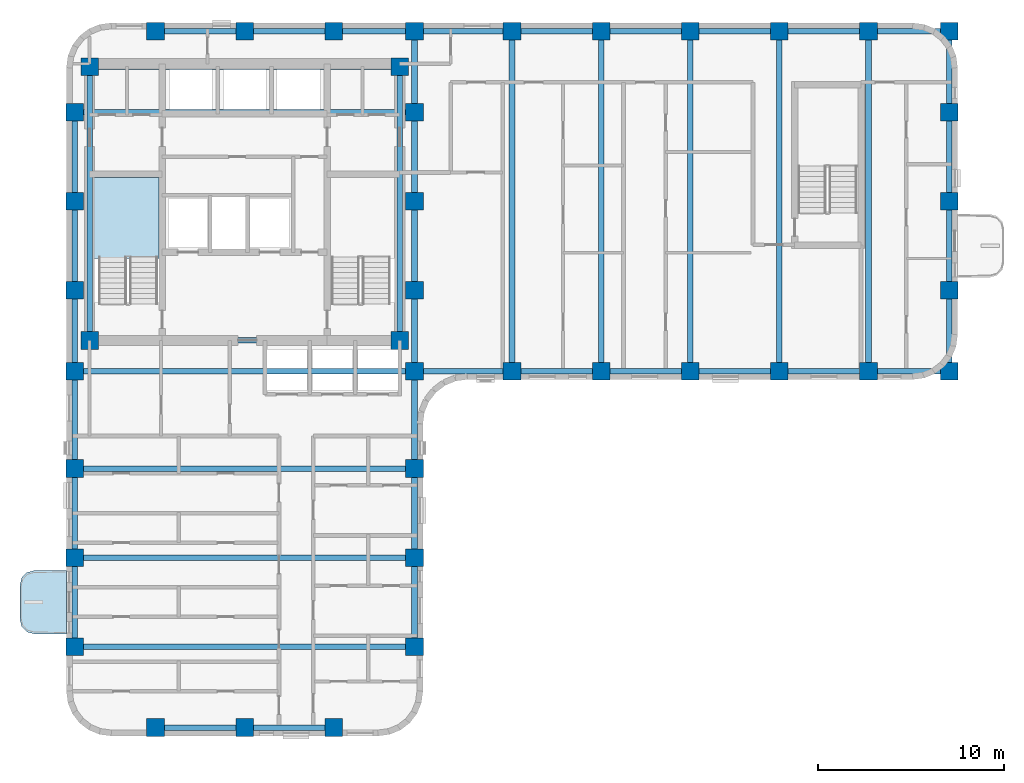
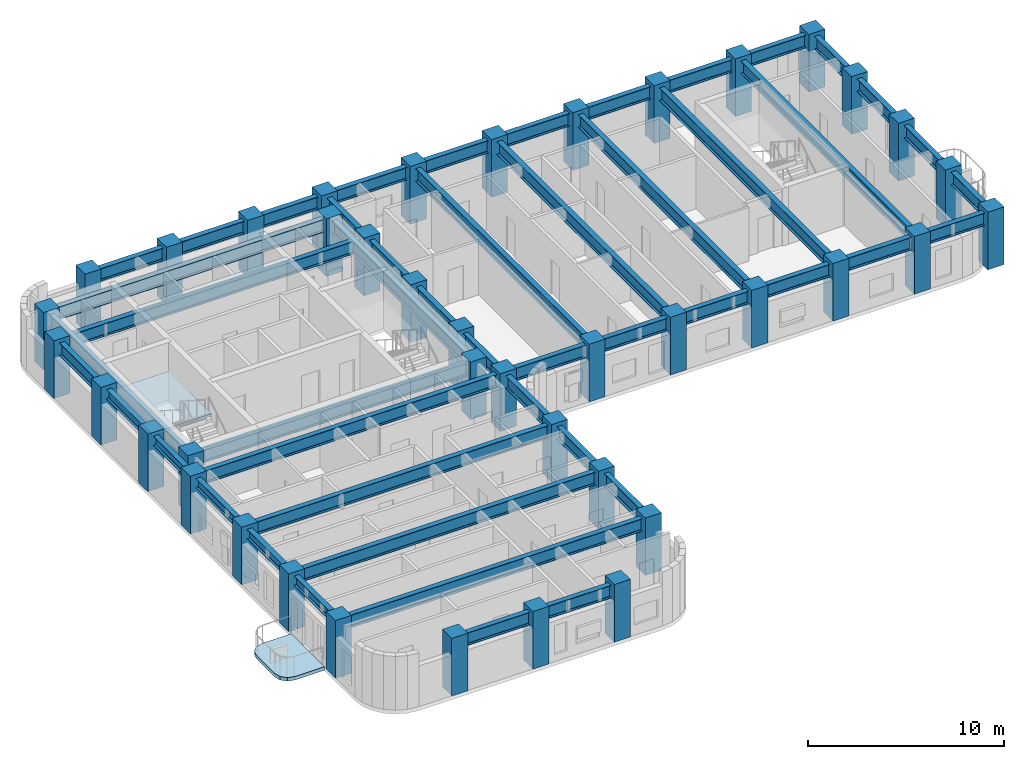
# One storey, part 1 of 10: 48 beams, 40 columns, 2 slabs, 1 element without a shape of its own.
"""IFC4 building model written with IfcOpenShell, lengths in metres."""

from ifc_helpers import new_model, si_unit, direction, frame, origin, origin_2d, place, context, subcontext, project, spatial, polyline, rectangle, i_section, outline, extrude, material, layer, layer_set, material_profile, profile_set, type_object, element, aggregate, save


model = new_model("IFC4")

# Units and contexts
model_context = context("Model", 3, precision=1e-05, world=origin(), true_north=direction((0.0, 1.0)))
body_context = subcontext(model_context, "Body", "Model", "MODEL_VIEW")
ifc_project = project(units=[si_unit("LENGTHUNIT", "METRE"), si_unit("AREAUNIT", "SQUARE_METRE"), si_unit("VOLUMEUNIT", "CUBIC_METRE"), si_unit("PLANEANGLEUNIT", "RADIAN"), si_unit("MASSUNIT", "GRAM", prefix="KILO")], contexts=[model_context])

# Site, building, storey
site_placement = place(None, origin())
site = spatial("IfcSite", under=ifc_project, at=site_placement, CompositionType="ELEMENT")
building_placement = place(site_placement, origin())
building = spatial("IfcBuilding", under=site, at=building_placement, Name="Orvandelia Arch Residences", CompositionType="ELEMENT")
storey_placement = place(building_placement, frame((0.0, 0.0, 110.800048828125)))
storey = spatial("IfcBuildingStorey", under=building, at=storey_placement, Name="L28", CompositionType="ELEMENT", Elevation=110.800048828125)

# Columns
ifc_material_1 = material(Name="Concrete C60/75", Category="concrete")
ifc_material_profile_1 = material_profile(ifc_material_1, rectangle(XDim=0.949951171875, YDim=0.949951171875, at=origin_2d()), Name="Concrete C60/75", Category="concrete")
ifc_profile_set_1 = profile_set([ifc_material_profile_1], Name="Concrete C60/75")
column_type = type_object("IfcColumnType", Name="COL-TWR-950", PredefinedType="COLUMN", material=ifc_profile_set_1)
for number, where, z_axis, x_axis, name in (
    (1, (5.25, 14.39990234375, 0.0), (0.0, 0.0, 1.0), (1.0, 0.0, 0.0), "Structural Column L28-W-W-144"),
    (2, (5.25, 19.199951171875, 0.0), (0.0, 0.0, 1.0), (1.0, 0.0, 0.0), "Structural Column L28-W-W-192"),
    (3, (5.25, 24.0, 0.0), (0.0, 0.0, 1.0), (1.0, 0.0, 0.0), "Structural Column L28-W-W-240"),
    (4, (5.25, 29.25, 0.0), (0.0, 0.0, 1.0), (1.0, 0.0, 0.0), "Structural Column L28-W-W-292"),
    (5, (5.25, 33.60009765625, 0.0), (0.0, 0.0, 1.0), (1.0, 0.0, 0.0), "Structural Column L28-W-W-336"),
    (6, (5.25, 38.39990234375, 0.0), (0.0, 0.0, 1.0), (1.0, 0.0, 0.0), "Structural Column L28-W-W-384"),
    (7, (5.25, 43.199951171875, 0.0), (0.0, 0.0, 1.0), (1.0, 0.0, 0.0), "Structural Column L28-W-W-432"),
    (8, (6.050048828125, 30.89990234375, 0.0), (0.0, 0.0, 1.0), (1.0, 0.0, 0.0), "Structural Column L28-CR-SW"),
    (9, (6.050048828125, 45.64990234375, 0.0), (0.0, 0.0, 1.0), (1.0, 0.0, 0.0), "Structural Column L28-CR-NW"),
    (10, (9.60009765625, 10.050048828125, 0.0), (0.0, 0.0, 1.0), (1.0, 0.0, 0.0), "Structural Column L28-W-S-96"),
    (11, (9.60009765625, 47.550048828125, 0.0), (0.0, 0.0, 1.0), (1.0, 0.0, 0.0), "Structural Column L28-W-N-96"),
    (12, (14.39990234375, 10.050048828125, 0.0), (0.0, 0.0, 1.0), (1.0, 0.0, 0.0), "Structural Column L28-W-S-144"),
    (13, (14.39990234375, 47.550048828125, 0.0), (0.0, 0.0, 1.0), (1.0, 0.0, 0.0), "Structural Column L28-W-N-144"),
    (14, (19.199951171875, 10.050048828125, 0.0), (0.0, 0.0, 1.0), (1.0, 0.0, 0.0), "Structural Column L28-W-S-192"),
    (15, (19.199951171875, 47.550048828125, 0.0), (0.0, 0.0, 1.0), (1.0, 0.0, 0.0), "Structural Column L28-W-N-192"),
    (16, (22.75, 30.89990234375, 0.0), (0.0, 0.0, 1.0), (1.0, 0.0, 0.0), "Structural Column L28-CR-SE"),
    (17, (22.75, 45.64990234375, 0.0), (0.0, 0.0, 1.0), (1.0, 0.0, 0.0), "Structural Column L28-CR-NE"),
    (18, (23.550048828125, 14.39990234375, 0.0), (0.0, 0.0, 1.0), (1.0, 0.0, 0.0), "Structural Column L28-W-E-144"),
    (19, (23.550048828125, 19.199951171875, 0.0), (0.0, 0.0, 1.0), (1.0, 0.0, 0.0), "Structural Column L28-W-E-192"),
    (20, (23.550048828125, 24.0, 0.0), (0.0, 0.0, 1.0), (1.0, 0.0, 0.0), "Structural Column L28-W-E-240"),
    (21, (23.550048828125, 29.25, 0.0), (0.0, 0.0, 1.0), (1.0, 0.0, 0.0), "Structural Column L28-W-E-292"),
    (22, (23.550048828125, 33.60009765625, 0.0), (0.0, 0.0, 1.0), (1.0, 0.0, 0.0), "Structural Column L28-W-E-336"),
    (23, (23.550048828125, 38.39990234375, 0.0), (0.0, 0.0, 1.0), (1.0, 0.0, 0.0), "Structural Column L28-W-E-384"),
    (24, (23.550048828125, 43.199951171875, 0.0), (0.0, 0.0, 1.0), (1.0, 0.0, 0.0), "Structural Column L28-W-E-432"),
    (25, (23.550048828125, 47.550048828125, 0.0), (0.0, 0.0, 1.0), (1.0, 0.0, 0.0), "Structural Column L28-W-N-235"),
    (26, (28.800048828125, 29.25, 0.0), (0.0, 0.0, 1.0), (1.0, 0.0, 0.0), "Structural Column L28-E-S-288"),
    (27, (28.800048828125, 47.550048828125, 0.0), (0.0, 0.0, 1.0), (1.0, 0.0, 0.0), "Structural Column L28-E-N-288"),
    (28, (33.60009765625, 29.25, 0.0), (0.0, 0.0, 1.0), (1.0, 0.0, 0.0), "Structural Column L28-E-S-336"),
    (29, (33.60009765625, 47.550048828125, 0.0), (0.0, 0.0, 1.0), (1.0, 0.0, 0.0), "Structural Column L28-E-N-336"),
    (30, (38.39990234375, 29.25, 0.0), (0.0, 0.0, 1.0), (1.0, 0.0, 0.0), "Structural Column L28-E-S-384"),
    (31, (38.39990234375, 47.550048828125, 0.0), (0.0, 0.0, 1.0), (1.0, 0.0, 0.0), "Structural Column L28-E-N-384"),
    (32, (43.199951171875, 29.25, 0.0), (0.0, 0.0, 1.0), (1.0, 0.0, 0.0), "Structural Column L28-E-S-432"),
    (33, (43.199951171875, 47.550048828125, 0.0), (0.0, 0.0, 1.0), (1.0, 0.0, 0.0), "Structural Column L28-E-N-432"),
    (34, (48.0, 29.25, 0.0), (0.0, 0.0, 1.0), (1.0, 0.0, 0.0), "Structural Column L28-E-S-480"),
    (35, (48.0, 47.550048828125, 0.0), (0.0, 0.0, 1.0), (1.0, 0.0, 0.0), "Structural Column L28-E-N-480"),
    (36, (52.35009765625, 29.25, 0.0), (0.0, 0.0, 1.0), (1.0, 0.0, 0.0), "Structural Column L28-E-S-523"),
    (37, (52.35009765625, 33.60009765625, 0.0), (0.0, 0.0, 1.0), (1.0, 0.0, 0.0), "Structural Column L28-E-523-336"),
    (38, (52.35009765625, 38.39990234375, 0.0), (0.0, 0.0, 1.0), (1.0, 0.0, 0.0), "Structural Column L28-E-523-384"),
    (39, (52.35009765625, 43.199951171875, 0.0), (0.0, 0.0, 1.0), (1.0, 0.0, 0.0), "Structural Column L28-E-523-432"),
    (40, (52.35009765625, 47.550048828125, 0.0), (0.0, 0.0, 1.0), (1.0, 0.0, 0.0), "Structural Column L28-E-N-523"),
):
    element("IfcColumn", number, at=place(storey_placement, frame(where, z_axis=z_axis, x_axis=x_axis)), inside=storey, type_object=column_type, Name=name, PredefinedType="COLUMN", context=body_context, shape_type="SweptSolid", body=[
        extrude(rectangle(XDim=0.949951171875, YDim=0.949951171875, at=origin_2d()), origin(), (0.0, 0.0, 1.0), 3.599853515625),
    ])

# Beams
ifc_material_2 = material(Name="Structural Steel SM355 (355 MPa)", Category="steel")
ifc_material_profile_2 = material_profile(ifc_material_2, i_section(OverallWidth=0.300048828125, OverallDepth=0.800048828125, WebThickness=0.013916015625, FlangeThickness=0.02587890625, FilletRadius=0.02587890625, at=origin_2d()), Name="Structural Steel SM355 (355 MPa)", Category="steel")
ifc_profile_set_2 = profile_set([ifc_material_profile_2], Name="Structural Steel SM355 (355 MPa)")
beam_type_1 = type_object("IfcBeamType", Name="BM-GRD-H800", PredefinedType="BEAM", material=ifc_profile_set_2)
beam_1_placement = place(storey_placement, frame((5.25, 38.39990234375, 2.9599609375), z_axis=(0.0, 1.0, 0.0), x_axis=(-1.0, 0.0, 0.0)))
element("IfcBeam", 41, at=beam_1_placement, inside=storey, type_object=beam_type_1, Name="Structural Frame Beam L28-NS-006", PredefinedType="BEAM", context=body_context, shape_type="SweptSolid", body=[
    extrude(i_section(OverallWidth=0.300048828125, OverallDepth=0.800048828125, WebThickness=0.013916015625, FlangeThickness=0.02587890625, FilletRadius=0.02587890625, at=origin_2d()), origin(), (0.0, 0.0, 1.0), 4.800048828125),
])
for number, where, z_axis, x_axis, name in (
    (42, (6.050048828125, 30.89990234375, 2.9599609375), (0.0, 1.0, 0.0), (-1.0, 0.0, 0.0), "Structural Frame Beam L28-NS-007"),
    (43, (22.75, 30.89990234375, 2.9599609375), (0.0, 1.0, 0.0), (-1.0, 0.0, 0.0), "Structural Frame Beam L28-NS-008"),
):
    element("IfcBeam", number, at=place(storey_placement, frame(where, z_axis=z_axis, x_axis=x_axis)), inside=storey, type_object=beam_type_1, Name=name, PredefinedType="BEAM", context=body_context, shape_type="SweptSolid", body=[
        extrude(i_section(OverallWidth=0.300048828125, OverallDepth=0.800048828125, WebThickness=0.013916015625, FlangeThickness=0.02587890625, FilletRadius=0.02587890625, at=origin_2d()), origin(), (0.0, 0.0, 1.0), 14.75),
    ])
for number, where, z_axis, x_axis, name in (
    (44, (23.550048828125, 14.39990234375, 2.9599609375), (0.0, 1.0, 0.0), (-1.0, 0.0, 0.0), "Structural Frame Beam L28-NS-009"),
    (45, (23.550048828125, 19.199951171875, 2.9599609375), (0.0, 1.0, 0.0), (-1.0, 0.0, 0.0), "Structural Frame Beam L28-NS-010"),
):
    element("IfcBeam", number, at=place(storey_placement, frame(where, z_axis=z_axis, x_axis=x_axis)), inside=storey, type_object=beam_type_1, Name=name, PredefinedType="BEAM", context=body_context, shape_type="SweptSolid", body=[
        extrude(i_section(OverallWidth=0.300048828125, OverallDepth=0.800048828125, WebThickness=0.013916015625, FlangeThickness=0.02587890625, FilletRadius=0.02587890625, at=origin_2d()), origin(), (0.0, 0.0, 1.0), 4.800048828125),
    ])
beam_2_placement = place(storey_placement, frame((23.550048828125, 24.0, 2.9599609375), z_axis=(0.0, 1.0, 0.0), x_axis=(-1.0, 0.0, 0.0)))
element("IfcBeam", 46, at=beam_2_placement, inside=storey, type_object=beam_type_1, Name="Structural Frame Beam L28-NS-011", PredefinedType="BEAM", context=body_context, shape_type="SweptSolid", body=[
    extrude(i_section(OverallWidth=0.300048828125, OverallDepth=0.800048828125, WebThickness=0.013916015625, FlangeThickness=0.02587890625, FilletRadius=0.02587890625, at=origin_2d()), origin(), (0.0, 0.0, 1.0), 5.25),
])
beam_3_placement = place(storey_placement, frame((23.550048828125, 29.25, 2.9599609375), z_axis=(0.0, 1.0, 0.0), x_axis=(-1.0, 0.0, 0.0)))
element("IfcBeam", 47, at=beam_3_placement, inside=storey, type_object=beam_type_1, Name="Structural Frame Beam L28-NS-012", PredefinedType="BEAM", context=body_context, shape_type="SweptSolid", body=[
    extrude(i_section(OverallWidth=0.300048828125, OverallDepth=0.800048828125, WebThickness=0.013916015625, FlangeThickness=0.02587890625, FilletRadius=0.02587890625, at=origin_2d()), origin(), (0.0, 0.0, 1.0), 4.35009765625),
])
beam_4_placement = place(storey_placement, frame((23.550048828125, 33.60009765625, 2.9599609375), z_axis=(0.0, 1.0, 0.0), x_axis=(-1.0, 0.0, 0.0)))
element("IfcBeam", 48, at=beam_4_placement, inside=storey, type_object=beam_type_1, Name="Structural Frame Beam L28-NS-013", PredefinedType="BEAM", context=body_context, shape_type="SweptSolid", body=[
    extrude(i_section(OverallWidth=0.300048828125, OverallDepth=0.800048828125, WebThickness=0.013916015625, FlangeThickness=0.02587890625, FilletRadius=0.02587890625, at=origin_2d()), origin(), (0.0, 0.0, 1.0), 4.7998046875),
])
beam_5_placement = place(storey_placement, frame((23.550048828125, 38.39990234375, 2.9599609375), z_axis=(0.0, 1.0, 0.0), x_axis=(-1.0, 0.0, 0.0)))
element("IfcBeam", 49, at=beam_5_placement, inside=storey, type_object=beam_type_1, Name="Structural Frame Beam L28-NS-014", PredefinedType="BEAM", context=body_context, shape_type="SweptSolid", body=[
    extrude(i_section(OverallWidth=0.300048828125, OverallDepth=0.800048828125, WebThickness=0.013916015625, FlangeThickness=0.02587890625, FilletRadius=0.02587890625, at=origin_2d()), origin(), (0.0, 0.0, 1.0), 4.800048828125),
])
beam_6_placement = place(storey_placement, frame((23.550048828125, 43.199951171875, 2.9599609375), z_axis=(0.0, 1.0, 0.0), x_axis=(-1.0, 0.0, 0.0)))
element("IfcBeam", 50, at=beam_6_placement, inside=storey, type_object=beam_type_1, Name="Structural Frame Beam L28-NS-015", PredefinedType="BEAM", context=body_context, shape_type="SweptSolid", body=[
    extrude(i_section(OverallWidth=0.300048828125, OverallDepth=0.800048828125, WebThickness=0.013916015625, FlangeThickness=0.02587890625, FilletRadius=0.02587890625, at=origin_2d()), origin(), (0.0, 0.0, 1.0), 4.35009765625),
])
for number, where, z_axis, x_axis, name in (
    (51, (28.800048828125, 29.25, 2.9599609375), (0.0, 1.0, 0.0), (-1.0, 0.0, 0.0), "Structural Frame Beam L28-NS-016"),
    (52, (33.60009765625, 29.25, 2.9599609375), (0.0, 1.0, 0.0), (-1.0, 0.0, 0.0), "Structural Frame Beam L28-NS-017"),
    (53, (38.39990234375, 29.25, 2.9599609375), (0.0, 1.0, 0.0), (-1.0, 0.0, 0.0), "Structural Frame Beam L28-NS-018"),
    (54, (43.199951171875, 29.25, 2.9599609375), (0.0, 1.0, 0.0), (-1.0, 0.0, 0.0), "Structural Frame Beam L28-NS-019"),
    (55, (48.0, 29.25, 2.9599609375), (0.0, 1.0, 0.0), (-1.0, 0.0, 0.0), "Structural Frame Beam L28-NS-020"),
):
    element("IfcBeam", number, at=place(storey_placement, frame(where, z_axis=z_axis, x_axis=x_axis)), inside=storey, type_object=beam_type_1, Name=name, PredefinedType="BEAM", context=body_context, shape_type="SweptSolid", body=[
        extrude(i_section(OverallWidth=0.300048828125, OverallDepth=0.800048828125, WebThickness=0.013916015625, FlangeThickness=0.02587890625, FilletRadius=0.02587890625, at=origin_2d()), origin(), (0.0, 0.0, 1.0), 18.300048828125),
    ])
beam_7_placement = place(storey_placement, frame((52.35009765625, 29.25, 2.9599609375), z_axis=(0.0, 1.0, 0.0), x_axis=(-1.0, 0.0, 0.0)))
element("IfcBeam", 56, at=beam_7_placement, inside=storey, type_object=beam_type_1, Name="Structural Frame Beam L28-NS-021", PredefinedType="BEAM", context=body_context, shape_type="SweptSolid", body=[
    extrude(i_section(OverallWidth=0.300048828125, OverallDepth=0.800048828125, WebThickness=0.013916015625, FlangeThickness=0.02587890625, FilletRadius=0.02587890625, at=origin_2d()), origin(), (0.0, 0.0, 1.0), 4.35009765625),
])
beam_8_placement = place(storey_placement, frame((52.35009765625, 33.60009765625, 2.9599609375), z_axis=(0.0, 1.0, 0.0), x_axis=(-1.0, 0.0, 0.0)))
element("IfcBeam", 57, at=beam_8_placement, inside=storey, type_object=beam_type_1, Name="Structural Frame Beam L28-NS-022", PredefinedType="BEAM", context=body_context, shape_type="SweptSolid", body=[
    extrude(i_section(OverallWidth=0.300048828125, OverallDepth=0.800048828125, WebThickness=0.013916015625, FlangeThickness=0.02587890625, FilletRadius=0.02587890625, at=origin_2d()), origin(), (0.0, 0.0, 1.0), 4.7998046875),
])
beam_9_placement = place(storey_placement, frame((52.35009765625, 38.39990234375, 2.9599609375), z_axis=(0.0, 1.0, 0.0), x_axis=(-1.0, 0.0, 0.0)))
element("IfcBeam", 58, at=beam_9_placement, inside=storey, type_object=beam_type_1, Name="Structural Frame Beam L28-NS-023", PredefinedType="BEAM", context=body_context, shape_type="SweptSolid", body=[
    extrude(i_section(OverallWidth=0.300048828125, OverallDepth=0.800048828125, WebThickness=0.013916015625, FlangeThickness=0.02587890625, FilletRadius=0.02587890625, at=origin_2d()), origin(), (0.0, 0.0, 1.0), 4.800048828125),
])
beam_10_placement = place(storey_placement, frame((52.35009765625, 43.199951171875, 2.9599609375), z_axis=(0.0, 1.0, 0.0), x_axis=(-1.0, 0.0, 0.0)))
element("IfcBeam", 59, at=beam_10_placement, inside=storey, type_object=beam_type_1, Name="Structural Frame Beam L28-NS-024", PredefinedType="BEAM", context=body_context, shape_type="SweptSolid", body=[
    extrude(i_section(OverallWidth=0.300048828125, OverallDepth=0.800048828125, WebThickness=0.013916015625, FlangeThickness=0.02587890625, FilletRadius=0.02587890625, at=origin_2d()), origin(), (0.0, 0.0, 1.0), 4.35009765625),
])
beam_11_placement = place(storey_placement, frame((9.60009765625, 10.050048828125, 2.9599609375), z_axis=(1.0, 0.0, 0.0), x_axis=(0.0, 1.0, 0.0)))
element("IfcBeam", 60, at=beam_11_placement, inside=storey, type_object=beam_type_1, Name="Structural Frame Girder L28-EW-025", PredefinedType="BEAM", context=body_context, shape_type="SweptSolid", body=[
    extrude(i_section(OverallWidth=0.300048828125, OverallDepth=0.800048828125, WebThickness=0.013916015625, FlangeThickness=0.02587890625, FilletRadius=0.02587890625, at=origin_2d()), origin(), (0.0, 0.0, 1.0), 4.7998046875),
])
beam_12_placement = place(storey_placement, frame((14.39990234375, 10.050048828125, 2.9599609375), z_axis=(1.0, 0.0, 0.0), x_axis=(0.0, 1.0, 0.0)))
element("IfcBeam", 61, at=beam_12_placement, inside=storey, type_object=beam_type_1, Name="Structural Frame Girder L28-EW-026", PredefinedType="BEAM", context=body_context, shape_type="SweptSolid", body=[
    extrude(i_section(OverallWidth=0.300048828125, OverallDepth=0.800048828125, WebThickness=0.013916015625, FlangeThickness=0.02587890625, FilletRadius=0.02587890625, at=origin_2d()), origin(), (0.0, 0.0, 1.0), 4.800048828125),
])
for number, where, z_axis, x_axis, name in (
    (62, (5.25, 14.39990234375, 2.9599609375), (1.0, 0.0, 0.0), (0.0, 1.0, 0.0), "Structural Frame Girder L28-EW-027"),
    (63, (5.25, 19.199951171875, 2.9599609375), (1.0, 0.0, 0.0), (0.0, 1.0, 0.0), "Structural Frame Girder L28-EW-028"),
    (64, (5.25, 24.0, 2.9599609375), (1.0, 0.0, 0.0), (0.0, 1.0, 0.0), "Structural Frame Girder L28-EW-029"),
    (65, (5.25, 29.25, 2.9599609375), (1.0, 0.0, 0.0), (0.0, 1.0, 0.0), "Structural Frame Girder L28-EW-030"),
):
    element("IfcBeam", number, at=place(storey_placement, frame(where, z_axis=z_axis, x_axis=x_axis)), inside=storey, type_object=beam_type_1, Name=name, PredefinedType="BEAM", context=body_context, shape_type="SweptSolid", body=[
        extrude(i_section(OverallWidth=0.300048828125, OverallDepth=0.800048828125, WebThickness=0.013916015625, FlangeThickness=0.02587890625, FilletRadius=0.02587890625, at=origin_2d()), origin(), (0.0, 0.0, 1.0), 18.300048828125),
    ])
beam_13_placement = place(storey_placement, frame((23.550048828125, 29.25, 2.9599609375), z_axis=(1.0, 0.0, 0.0), x_axis=(0.0, 1.0, 0.0)))
element("IfcBeam", 66, at=beam_13_placement, inside=storey, type_object=beam_type_1, Name="Structural Frame Girder L28-EW-031", PredefinedType="BEAM", context=body_context, shape_type="SweptSolid", body=[
    extrude(i_section(OverallWidth=0.300048828125, OverallDepth=0.800048828125, WebThickness=0.013916015625, FlangeThickness=0.02587890625, FilletRadius=0.02587890625, at=origin_2d()), origin(), (0.0, 0.0, 1.0), 5.25),
])
beam_14_placement = place(storey_placement, frame((28.800048828125, 29.25, 2.9599609375), z_axis=(1.0, 0.0, 0.0), x_axis=(0.0, 1.0, 0.0)))
element("IfcBeam", 67, at=beam_14_placement, inside=storey, type_object=beam_type_1, Name="Structural Frame Girder L28-EW-032", PredefinedType="BEAM", context=body_context, shape_type="SweptSolid", body=[
    extrude(i_section(OverallWidth=0.300048828125, OverallDepth=0.800048828125, WebThickness=0.013916015625, FlangeThickness=0.02587890625, FilletRadius=0.02587890625, at=origin_2d()), origin(), (0.0, 0.0, 1.0), 4.800048828125),
])
beam_15_placement = place(storey_placement, frame((33.60009765625, 29.25, 2.9599609375), z_axis=(1.0, 0.0, 0.0), x_axis=(0.0, 1.0, 0.0)))
element("IfcBeam", 68, at=beam_15_placement, inside=storey, type_object=beam_type_1, Name="Structural Frame Girder L28-EW-033", PredefinedType="BEAM", context=body_context, shape_type="SweptSolid", body=[
    extrude(i_section(OverallWidth=0.300048828125, OverallDepth=0.800048828125, WebThickness=0.013916015625, FlangeThickness=0.02587890625, FilletRadius=0.02587890625, at=origin_2d()), origin(), (0.0, 0.0, 1.0), 4.7998046875),
])
for number, where, z_axis, x_axis, name in (
    (69, (38.39990234375, 29.25, 2.9599609375), (1.0, 0.0, 0.0), (0.0, 1.0, 0.0), "Structural Frame Girder L28-EW-034"),
    (70, (43.199951171875, 29.25, 2.9599609375), (1.0, 0.0, 0.0), (0.0, 1.0, 0.0), "Structural Frame Girder L28-EW-035"),
):
    element("IfcBeam", number, at=place(storey_placement, frame(where, z_axis=z_axis, x_axis=x_axis)), inside=storey, type_object=beam_type_1, Name=name, PredefinedType="BEAM", context=body_context, shape_type="SweptSolid", body=[
        extrude(i_section(OverallWidth=0.300048828125, OverallDepth=0.800048828125, WebThickness=0.013916015625, FlangeThickness=0.02587890625, FilletRadius=0.02587890625, at=origin_2d()), origin(), (0.0, 0.0, 1.0), 4.800048828125),
    ])
beam_16_placement = place(storey_placement, frame((48.0, 29.25, 2.9599609375), z_axis=(1.0, 0.0, 0.0), x_axis=(0.0, 1.0, 0.0)))
element("IfcBeam", 71, at=beam_16_placement, inside=storey, type_object=beam_type_1, Name="Structural Frame Girder L28-EW-036", PredefinedType="BEAM", context=body_context, shape_type="SweptSolid", body=[
    extrude(i_section(OverallWidth=0.300048828125, OverallDepth=0.800048828125, WebThickness=0.013916015625, FlangeThickness=0.02587890625, FilletRadius=0.02587890625, at=origin_2d()), origin(), (0.0, 0.0, 1.0), 4.35009765625),
])
beam_17_placement = place(storey_placement, frame((6.050048828125, 30.89990234375, 2.9599609375), z_axis=(1.0, 0.0, 0.0), x_axis=(0.0, 1.0, 0.0)))
element("IfcBeam", 72, at=beam_17_placement, inside=storey, type_object=beam_type_1, Name="Structural Frame Girder L28-EW-037", PredefinedType="BEAM", context=body_context, shape_type="SweptSolid", body=[
    extrude(i_section(OverallWidth=0.300048828125, OverallDepth=0.800048828125, WebThickness=0.013916015625, FlangeThickness=0.02587890625, FilletRadius=0.02587890625, at=origin_2d()), origin(), (0.0, 0.0, 1.0), 16.699951171875),
])
beam_18_placement = place(storey_placement, frame((5.25, 43.199951171875, 2.9599609375), z_axis=(1.0, 0.0, 0.0), x_axis=(0.0, 1.0, 0.0)))
element("IfcBeam", 73, at=beam_18_placement, inside=storey, type_object=beam_type_1, Name="Structural Frame Girder L28-EW-040", PredefinedType="BEAM", context=body_context, shape_type="SweptSolid", body=[
    extrude(i_section(OverallWidth=0.300048828125, OverallDepth=0.800048828125, WebThickness=0.013916015625, FlangeThickness=0.02587890625, FilletRadius=0.02587890625, at=origin_2d()), origin(), (0.0, 0.0, 1.0), 18.300048828125),
])
beam_19_placement = place(storey_placement, frame((6.050048828125, 45.64990234375, 2.9599609375), z_axis=(1.0, 0.0, 0.0), x_axis=(0.0, 1.0, 0.0)))
element("IfcBeam", 74, at=beam_19_placement, inside=storey, type_object=beam_type_1, Name="Structural Frame Girder L28-EW-041", PredefinedType="BEAM", context=body_context, shape_type="SweptSolid", body=[
    extrude(i_section(OverallWidth=0.300048828125, OverallDepth=0.800048828125, WebThickness=0.013916015625, FlangeThickness=0.02587890625, FilletRadius=0.02587890625, at=origin_2d()), origin(), (0.0, 0.0, 1.0), 16.699951171875),
])
beam_20_placement = place(storey_placement, frame((9.60009765625, 47.550048828125, 2.9599609375), z_axis=(1.0, 0.0, 0.0), x_axis=(0.0, 1.0, 0.0)))
element("IfcBeam", 75, at=beam_20_placement, inside=storey, type_object=beam_type_1, Name="Structural Frame Girder L28-EW-042", PredefinedType="BEAM", context=body_context, shape_type="SweptSolid", body=[
    extrude(i_section(OverallWidth=0.300048828125, OverallDepth=0.800048828125, WebThickness=0.013916015625, FlangeThickness=0.02587890625, FilletRadius=0.02587890625, at=origin_2d()), origin(), (0.0, 0.0, 1.0), 4.7998046875),
])
beam_21_placement = place(storey_placement, frame((14.39990234375, 47.550048828125, 2.9599609375), z_axis=(1.0, 0.0, 0.0), x_axis=(0.0, 1.0, 0.0)))
element("IfcBeam", 76, at=beam_21_placement, inside=storey, type_object=beam_type_1, Name="Structural Frame Girder L28-EW-043", PredefinedType="BEAM", context=body_context, shape_type="SweptSolid", body=[
    extrude(i_section(OverallWidth=0.300048828125, OverallDepth=0.800048828125, WebThickness=0.013916015625, FlangeThickness=0.02587890625, FilletRadius=0.02587890625, at=origin_2d()), origin(), (0.0, 0.0, 1.0), 4.800048828125),
])
beam_22_placement = place(storey_placement, frame((19.199951171875, 47.550048828125, 2.9599609375), z_axis=(1.0, 0.0, 0.0), x_axis=(0.0, 1.0, 0.0)))
element("IfcBeam", 77, at=beam_22_placement, inside=storey, type_object=beam_type_1, Name="Structural Frame Girder L28-EW-044", PredefinedType="BEAM", context=body_context, shape_type="SweptSolid", body=[
    extrude(i_section(OverallWidth=0.300048828125, OverallDepth=0.800048828125, WebThickness=0.013916015625, FlangeThickness=0.02587890625, FilletRadius=0.02587890625, at=origin_2d()), origin(), (0.0, 0.0, 1.0), 4.35009765625),
])
beam_23_placement = place(storey_placement, frame((23.550048828125, 47.550048828125, 2.9599609375), z_axis=(1.0, 0.0, 0.0), x_axis=(0.0, 1.0, 0.0)))
element("IfcBeam", 78, at=beam_23_placement, inside=storey, type_object=beam_type_1, Name="Structural Frame Girder L28-EW-045", PredefinedType="BEAM", context=body_context, shape_type="SweptSolid", body=[
    extrude(i_section(OverallWidth=0.300048828125, OverallDepth=0.800048828125, WebThickness=0.013916015625, FlangeThickness=0.02587890625, FilletRadius=0.02587890625, at=origin_2d()), origin(), (0.0, 0.0, 1.0), 5.25),
])
beam_24_placement = place(storey_placement, frame((28.800048828125, 47.550048828125, 2.9599609375), z_axis=(1.0, 0.0, 0.0), x_axis=(0.0, 1.0, 0.0)))
element("IfcBeam", 79, at=beam_24_placement, inside=storey, type_object=beam_type_1, Name="Structural Frame Girder L28-EW-046", PredefinedType="BEAM", context=body_context, shape_type="SweptSolid", body=[
    extrude(i_section(OverallWidth=0.300048828125, OverallDepth=0.800048828125, WebThickness=0.013916015625, FlangeThickness=0.02587890625, FilletRadius=0.02587890625, at=origin_2d()), origin(), (0.0, 0.0, 1.0), 4.800048828125),
])
beam_25_placement = place(storey_placement, frame((33.60009765625, 47.550048828125, 2.9599609375), z_axis=(1.0, 0.0, 0.0), x_axis=(0.0, 1.0, 0.0)))
element("IfcBeam", 80, at=beam_25_placement, inside=storey, type_object=beam_type_1, Name="Structural Frame Girder L28-EW-047", PredefinedType="BEAM", context=body_context, shape_type="SweptSolid", body=[
    extrude(i_section(OverallWidth=0.300048828125, OverallDepth=0.800048828125, WebThickness=0.013916015625, FlangeThickness=0.02587890625, FilletRadius=0.02587890625, at=origin_2d()), origin(), (0.0, 0.0, 1.0), 4.7998046875),
])
for number, where, z_axis, x_axis, name in (
    (81, (38.39990234375, 47.550048828125, 2.9599609375), (1.0, 0.0, 0.0), (0.0, 1.0, 0.0), "Structural Frame Girder L28-EW-048"),
    (82, (43.199951171875, 47.550048828125, 2.9599609375), (1.0, 0.0, 0.0), (0.0, 1.0, 0.0), "Structural Frame Girder L28-EW-049"),
):
    element("IfcBeam", number, at=place(storey_placement, frame(where, z_axis=z_axis, x_axis=x_axis)), inside=storey, type_object=beam_type_1, Name=name, PredefinedType="BEAM", context=body_context, shape_type="SweptSolid", body=[
        extrude(i_section(OverallWidth=0.300048828125, OverallDepth=0.800048828125, WebThickness=0.013916015625, FlangeThickness=0.02587890625, FilletRadius=0.02587890625, at=origin_2d()), origin(), (0.0, 0.0, 1.0), 4.800048828125),
    ])
beam_26_placement = place(storey_placement, frame((48.0, 47.550048828125, 2.9599609375), z_axis=(1.0, 0.0, 0.0), x_axis=(0.0, 1.0, 0.0)))
element("IfcBeam", 83, at=beam_26_placement, inside=storey, type_object=beam_type_1, Name="Structural Frame Girder L28-EW-050", PredefinedType="BEAM", context=body_context, shape_type="SweptSolid", body=[
    extrude(i_section(OverallWidth=0.300048828125, OverallDepth=0.800048828125, WebThickness=0.013916015625, FlangeThickness=0.02587890625, FilletRadius=0.02587890625, at=origin_2d()), origin(), (0.0, 0.0, 1.0), 4.35009765625),
])
ifc_material_profile_3 = material_profile(ifc_material_2, i_section(OverallWidth=0.300048828125, OverallDepth=0.587890625, WebThickness=0.011962890625, FlangeThickness=0.02001953125, FilletRadius=0.02197265625, at=origin_2d()), Name="Structural Steel SM355 (355 MPa)", Category="steel")
ifc_profile_set_3 = profile_set([ifc_material_profile_3], Name="Structural Steel SM355 (355 MPa)")
beam_type_2 = type_object("IfcBeamType", Name="BM-SPN-H588", PredefinedType="SPANDREL", material=ifc_profile_set_3)
for number, where, z_axis, x_axis, name in (
    (84, (5.25, 14.39990234375, 3.06591796875), (0.0, 1.0, 0.0), (-1.0, 0.0, 0.0), "Structural Frame Beam L28-NS-001"),
    (85, (5.25, 19.199951171875, 3.06591796875), (0.0, 1.0, 0.0), (-1.0, 0.0, 0.0), "Structural Frame Beam L28-NS-002"),
):
    element("IfcBeam", number, at=place(storey_placement, frame(where, z_axis=z_axis, x_axis=x_axis)), inside=storey, type_object=beam_type_2, Name=name, PredefinedType="SPANDREL", context=body_context, shape_type="SweptSolid", body=[
        extrude(i_section(OverallWidth=0.300048828125, OverallDepth=0.587890625, WebThickness=0.011962890625, FlangeThickness=0.02001953125, FilletRadius=0.02197265625, at=origin_2d()), origin(), (0.0, 0.0, 1.0), 4.800048828125),
    ])
beam_27_placement = place(storey_placement, frame((5.25, 24.0, 3.06591796875), z_axis=(0.0, 1.0, 0.0), x_axis=(-1.0, 0.0, 0.0)))
element("IfcBeam", 86, at=beam_27_placement, inside=storey, type_object=beam_type_2, Name="Structural Frame Beam L28-NS-003", PredefinedType="SPANDREL", context=body_context, shape_type="SweptSolid", body=[
    extrude(i_section(OverallWidth=0.300048828125, OverallDepth=0.587890625, WebThickness=0.011962890625, FlangeThickness=0.02001953125, FilletRadius=0.02197265625, at=origin_2d()), origin(), (0.0, 0.0, 1.0), 5.25),
])
beam_28_placement = place(storey_placement, frame((5.25, 29.25, 3.06591796875), z_axis=(0.0, 1.0, 0.0), x_axis=(-1.0, 0.0, 0.0)))
element("IfcBeam", 87, at=beam_28_placement, inside=storey, type_object=beam_type_2, Name="Structural Frame Beam L28-NS-004", PredefinedType="SPANDREL", context=body_context, shape_type="SweptSolid", body=[
    extrude(i_section(OverallWidth=0.300048828125, OverallDepth=0.587890625, WebThickness=0.011962890625, FlangeThickness=0.02001953125, FilletRadius=0.02197265625, at=origin_2d()), origin(), (0.0, 0.0, 1.0), 4.35009765625),
])
beam_29_placement = place(storey_placement, frame((5.25, 33.60009765625, 3.06591796875), z_axis=(0.0, 1.0, 0.0), x_axis=(-1.0, 0.0, 0.0)))
element("IfcBeam", 88, at=beam_29_placement, inside=storey, type_object=beam_type_2, Name="Structural Frame Beam L28-NS-005", PredefinedType="SPANDREL", context=body_context, shape_type="SweptSolid", body=[
    extrude(i_section(OverallWidth=0.300048828125, OverallDepth=0.587890625, WebThickness=0.011962890625, FlangeThickness=0.02001953125, FilletRadius=0.02197265625, at=origin_2d()), origin(), (0.0, 0.0, 1.0), 4.7998046875),
])

# Slab
ifc_material_3 = material(Name="Precast concrete C40/50", Category="concrete")
ifc_layer_1 = layer(ifc_material_3, 0.219970703125, Name="Precast concrete C40/50", Category="concrete")
ifc_layer_set_1 = layer_set([ifc_layer_1], Name="Precast concrete C40/50")
slab_type_1 = type_object("IfcSlabType", Name="SLB-BAL-220", PredefinedType="USERDEFINED", material=ifc_layer_set_1)
slab_1_placement = place(storey_placement, frame((0.0, 0.0, -0.219970703125)))
element("IfcSlab", 89, at=slab_1_placement, inside=storey, type_object=slab_type_1, Name="Tree Balcony Cantilever Slab BAL-L28-W1", ObjectType="BALCONY", PredefinedType="USERDEFINED", context=body_context, shape_type="SweptSolid", body=[
    extrude(outline(polyline([(4.800048828125, 15.10009765625), (4.800048828125, 18.5), (3.050048828125, 18.5), (2.675048828125, 18.3994140625), (2.400390625, 18.125), (2.300048828125, 17.75), (2.300048828125, 15.85009765625), (2.400390625, 15.47509765625), (2.675048828125, 15.200439453125), (3.050048828125, 15.10009765625), (4.800048828125, 15.10009765625)])), origin(), (0.0, 0.0, 1.0), 0.219970703125),
])

# Stair, slab
ifc_material_4 = material(Name="Concrete C40/50", Category="concrete")
stair_type = type_object("IfcStairType", Name="STAIR-RC-DOGLEG", PredefinedType="HALF_TURN_STAIR", material=ifc_material_4)
stair_placement = place(storey_placement, origin())
stair = element("IfcStair", 90, at=stair_placement, inside=storey, type_object=stair_type, Name="L28 Protected Exit Stair ST-1", PredefinedType="HALF_TURN_STAIR")
ifc_layer_2 = layer(ifc_material_4, 0.219970703125, Name="Concrete C40/50", Category="concrete")
ifc_layer_set_2 = layer_set([ifc_layer_2], Name="Concrete C40/50")
slab_type_2 = type_object("IfcSlabType", Name="SLB-LANDING-220", PredefinedType="LANDING", material=ifc_layer_set_2)
slab_2_placement = place(storey_placement, frame((0.0, 0.0, 1.599853515625)))
slab_2 = element("IfcSlab", 91, at=slab_2_placement, type_object=slab_type_2, Name="ST-1 landing 1", PredefinedType="LANDING", context=body_context, shape_type="SweptSolid", body=[
    extrude(outline(polyline([(9.800048828125, 35.31005859375), (9.800048828125, 39.68994140625), (6.260009765625, 39.68994140625), (6.260009765625, 35.31005859375), (9.800048828125, 35.31005859375)])), origin(), (0.0, 0.0, 1.0), 0.2001953125),
])
aggregate(stair, [slab_2])

save(model, "model.ifc")
